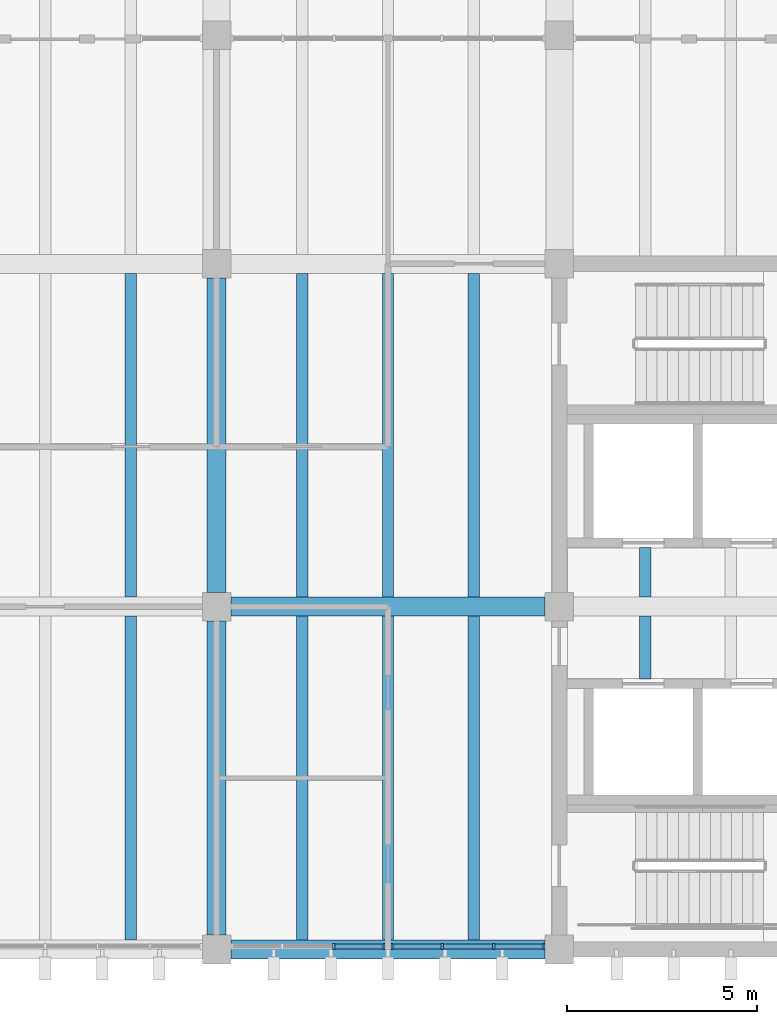
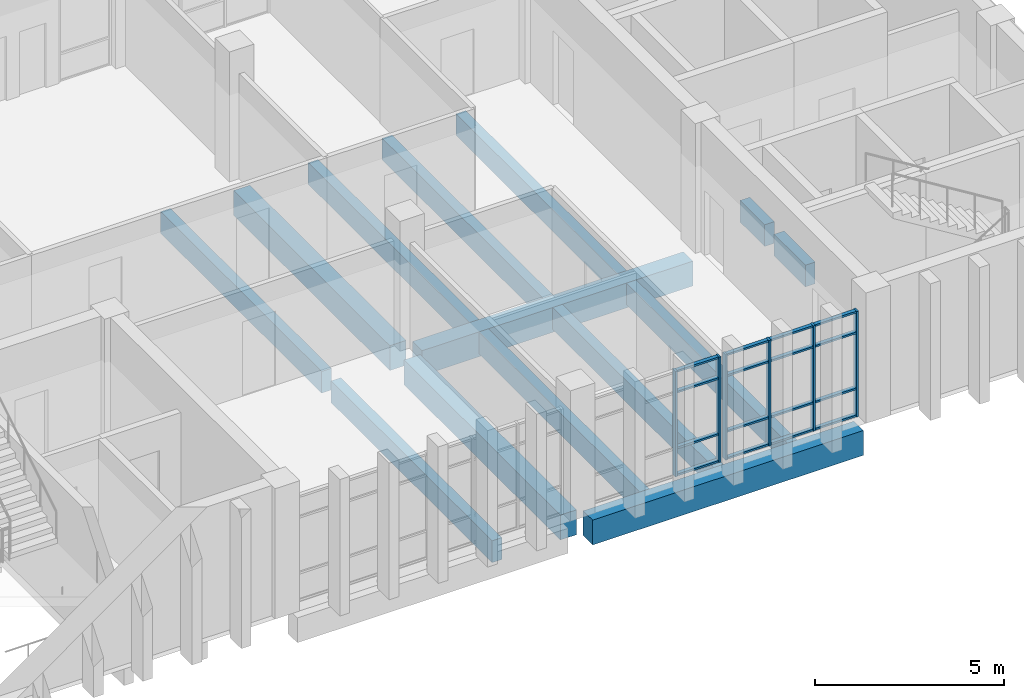
# One storey, part 3 of 15: 22 members, 14 beams, 2 elements without a shape of their own.
"""IFC4 building model written with IfcOpenShell, lengths in metres."""

from ifc_helpers import new_model, si_unit, direction, frame, origin, origin_2d, place, context, subcontext, project, spatial, rectangle, extrude, material, material_profile, profile_set, type_object, element, aggregate, save


model = new_model("IFC4")

# Units and contexts
model_context = context("Model", 3, precision=1e-05, world=origin(), true_north=direction((0.0, 1.0)))
body_context = subcontext(model_context, "Body", "Model", "MODEL_VIEW")
ifc_project = project(units=[si_unit("LENGTHUNIT", "METRE"), si_unit("AREAUNIT", "SQUARE_METRE"), si_unit("VOLUMEUNIT", "CUBIC_METRE"), si_unit("PLANEANGLEUNIT", "RADIAN"), si_unit("MASSUNIT", "GRAM", prefix="KILO")], contexts=[model_context])

# Site, building, storey
site_placement = place(None, origin())
site = spatial("IfcSite", under=ifc_project, at=site_placement, CompositionType="ELEMENT")
building_placement = place(site_placement, origin())
building = spatial("IfcBuilding", under=site, at=building_placement, Name="Merrow Basin Faculty of Sciences", CompositionType="ELEMENT")
storey_placement = place(building_placement, frame((0.0, 0.0, 31.5)))
storey = spatial("IfcBuildingStorey", under=building, at=storey_placement, Name="L07", CompositionType="ELEMENT", Elevation=31.5)

# Curtain wall, members
ifc_material_1 = material(Name="Aluminium alloy 6063", Category="aluminium")
curtain_wall_type = type_object("IfcCurtainWallType", Name="Unitised curtain wall 160", PredefinedType="NOTDEFINED", material=ifc_material_1)
curtain_wall_1_placement = place(storey_placement, origin())
curtain_wall_1 = element("IfcCurtainWall", 1, at=curtain_wall_1_placement, inside=storey, type_object=curtain_wall_type, Name="S curtain wall L07 2", PredefinedType="NOTDEFINED")
ifc_material_2 = material(Name="Aluminium alloy 6063", Category="aluminium")
ifc_material_profile_1 = material_profile(ifc_material_2, rectangle(XDim=0.159912109375, YDim=0.06005859375, at=origin_2d()))
ifc_profile_set_1 = profile_set([ifc_material_profile_1], Name="Aluminium alloy 6063")
member_type_1 = type_object("IfcMemberType", Name="Aluminium mullion 60x160", PredefinedType="MULLION", material=ifc_profile_set_1)
member_1_placement = place(storey_placement, frame((39.074951171875, 142.080078125, 0.0), z_axis=(0.0, 0.0, 1.0), x_axis=(0.0, 1.0, 0.0)))
member_1 = element("IfcMember", 2, at=member_1_placement, type_object=member_type_1, Name="CW3 mullion 3", PredefinedType="MULLION", context=body_context, shape_type="SweptSolid", body=[
    extrude(rectangle(XDim=0.159912109375, YDim=0.06005859375, at=origin_2d()), origin(), (0.0, 0.0, 1.0), 3.39990234375),
])
member_2_placement = place(storey_placement, frame((40.39501953125, 142.080078125, 0.0), z_axis=(0.0, 0.0, 1.0), x_axis=(0.0, 1.0, 0.0)))
member_2 = element("IfcMember", 3, at=member_2_placement, type_object=member_type_1, Name="CW3 mullion 4", PredefinedType="MULLION", context=body_context, shape_type="SweptSolid", body=[
    extrude(rectangle(XDim=0.159912109375, YDim=0.06005859375, at=origin_2d()), origin(), (0.0, 0.0, 1.0), 3.39990234375),
])

curtain_wall_2_placement = place(storey_placement, origin())
curtain_wall_2 = element("IfcCurtainWall", 4, at=curtain_wall_2_placement, inside=storey, type_object=curtain_wall_type, Name="S curtain wall L07 3", PredefinedType="NOTDEFINED")
member_3_placement = place(storey_placement, frame((40.60498046875, 142.080078125, 0.0), z_axis=(0.0, 0.0, 1.0), x_axis=(0.0, 1.0, 0.0)))
member_3 = element("IfcMember", 5, at=member_3_placement, type_object=member_type_1, Name="CW3 mullion 1", PredefinedType="MULLION", context=body_context, shape_type="SweptSolid", body=[
    extrude(rectangle(XDim=0.159912109375, YDim=0.06005859375, at=origin_2d()), origin(), (0.0, 0.0, 1.0), 3.39990234375),
])
member_4_placement = place(storey_placement, frame((41.925048828125, 142.080078125, 0.0), z_axis=(0.0, 0.0, 1.0), x_axis=(0.0, 1.0, 0.0)))
member_4 = element("IfcMember", 6, at=member_4_placement, type_object=member_type_1, Name="CW3 mullion 2", PredefinedType="MULLION", context=body_context, shape_type="SweptSolid", body=[
    extrude(rectangle(XDim=0.159912109375, YDim=0.06005859375, at=origin_2d()), origin(), (0.0, 0.0, 1.0), 3.39990234375),
])
member_5_placement = place(storey_placement, frame((43.27490234375, 142.080078125, 0.0), z_axis=(0.0, 0.0, 1.0), x_axis=(0.0, 1.0, 0.0)))
member_5 = element("IfcMember", 7, at=member_5_placement, type_object=member_type_1, Name="CW3 mullion 3", PredefinedType="MULLION", context=body_context, shape_type="SweptSolid", body=[
    extrude(rectangle(XDim=0.159912109375, YDim=0.06005859375, at=origin_2d()), origin(), (0.0, 0.0, 1.0), 3.39990234375),
])
member_6_placement = place(storey_placement, frame((44.594970703125, 142.080078125, 0.0), z_axis=(0.0, 0.0, 1.0), x_axis=(0.0, 1.0, 0.0)))
member_6 = element("IfcMember", 8, at=member_6_placement, type_object=member_type_1, Name="CW3 mullion 4", PredefinedType="MULLION", context=body_context, shape_type="SweptSolid", body=[
    extrude(rectangle(XDim=0.159912109375, YDim=0.06005859375, at=origin_2d()), origin(), (0.0, 0.0, 1.0), 3.39990234375),
])

# Member
ifc_material_3 = material(Name="Aluminium alloy 6063", Category="aluminium")
ifc_material_profile_2 = material_profile(ifc_material_3, rectangle(XDim=0.1201171875, YDim=0.06005859375, at=origin_2d()))
ifc_profile_set_2 = profile_set([ifc_material_profile_2], Name="Aluminium alloy 6063")
member_type_2 = type_object("IfcMemberType", Name="Aluminium transom 60x120", PredefinedType="USERDEFINED", material=ifc_profile_set_2)
member_7_placement = place(storey_placement, frame((39.10498046875, 142.080078125, 0.030029296875), z_axis=(1.0, 0.0, 0.0), x_axis=(0.0, 1.0, 0.0)))
member_7 = element("IfcMember", 9, at=member_7_placement, type_object=member_type_2, Name="CW3 transom 3.1", ObjectType="TRANSOM", PredefinedType="USERDEFINED", context=body_context, shape_type="SweptSolid", body=[
    extrude(rectangle(XDim=0.1201171875, YDim=0.06005859375, at=origin_2d()), origin(), (0.0, 0.0, 1.0), 1.260009765625),
])

member_8_placement = place(storey_placement, frame((39.10498046875, 142.080078125, 0.89990234375), z_axis=(1.0, 0.0, 0.0), x_axis=(0.0, 1.0, 0.0)))
member_8 = element("IfcMember", 10, at=member_8_placement, type_object=member_type_2, Name="CW3 transom 3.2", ObjectType="TRANSOM", PredefinedType="USERDEFINED", context=body_context, shape_type="SweptSolid", body=[
    extrude(rectangle(XDim=0.1201171875, YDim=0.06005859375, at=origin_2d()), origin(), (0.0, 0.0, 1.0), 1.260009765625),
])

member_9_placement = place(storey_placement, frame((39.10498046875, 142.080078125, 2.699951171875), z_axis=(1.0, 0.0, 0.0), x_axis=(0.0, 1.0, 0.0)))
member_9 = element("IfcMember", 11, at=member_9_placement, type_object=member_type_2, Name="CW3 transom 3.3", ObjectType="TRANSOM", PredefinedType="USERDEFINED", context=body_context, shape_type="SweptSolid", body=[
    extrude(rectangle(XDim=0.1201171875, YDim=0.06005859375, at=origin_2d()), origin(), (0.0, 0.0, 1.0), 1.260009765625),
])

member_10_placement = place(storey_placement, frame((39.10498046875, 142.080078125, 3.3701171875), z_axis=(1.0, 0.0, 0.0), x_axis=(0.0, 1.0, 0.0)))
member_10 = element("IfcMember", 12, at=member_10_placement, type_object=member_type_2, Name="CW3 transom 3.4", ObjectType="TRANSOM", PredefinedType="USERDEFINED", context=body_context, shape_type="SweptSolid", body=[
    extrude(rectangle(XDim=0.1201171875, YDim=0.06005859375, at=origin_2d()), origin(), (0.0, 0.0, 1.0), 1.260009765625),
])

aggregate(curtain_wall_1, [member_1, member_2, member_7, member_8, member_9, member_10])

member_11_placement = place(storey_placement, frame((40.635009765625, 142.080078125, 0.030029296875), z_axis=(1.0, 0.0, 0.0), x_axis=(0.0, 1.0, 0.0)))
member_11 = element("IfcMember", 13, at=member_11_placement, type_object=member_type_2, Name="CW3 transom 1.1", ObjectType="TRANSOM", PredefinedType="USERDEFINED", context=body_context, shape_type="SweptSolid", body=[
    extrude(rectangle(XDim=0.1201171875, YDim=0.06005859375, at=origin_2d()), origin(), (0.0, 0.0, 1.0), 1.260009765625),
])

member_12_placement = place(storey_placement, frame((40.635009765625, 142.080078125, 0.89990234375), z_axis=(1.0, 0.0, 0.0), x_axis=(0.0, 1.0, 0.0)))
member_12 = element("IfcMember", 14, at=member_12_placement, type_object=member_type_2, Name="CW3 transom 1.2", ObjectType="TRANSOM", PredefinedType="USERDEFINED", context=body_context, shape_type="SweptSolid", body=[
    extrude(rectangle(XDim=0.1201171875, YDim=0.06005859375, at=origin_2d()), origin(), (0.0, 0.0, 1.0), 1.260009765625),
])

member_13_placement = place(storey_placement, frame((40.635009765625, 142.080078125, 2.699951171875), z_axis=(1.0, 0.0, 0.0), x_axis=(0.0, 1.0, 0.0)))
member_13 = element("IfcMember", 15, at=member_13_placement, type_object=member_type_2, Name="CW3 transom 1.3", ObjectType="TRANSOM", PredefinedType="USERDEFINED", context=body_context, shape_type="SweptSolid", body=[
    extrude(rectangle(XDim=0.1201171875, YDim=0.06005859375, at=origin_2d()), origin(), (0.0, 0.0, 1.0), 1.260009765625),
])

member_14_placement = place(storey_placement, frame((40.635009765625, 142.080078125, 3.3701171875), z_axis=(1.0, 0.0, 0.0), x_axis=(0.0, 1.0, 0.0)))
member_14 = element("IfcMember", 16, at=member_14_placement, type_object=member_type_2, Name="CW3 transom 1.4", ObjectType="TRANSOM", PredefinedType="USERDEFINED", context=body_context, shape_type="SweptSolid", body=[
    extrude(rectangle(XDim=0.1201171875, YDim=0.06005859375, at=origin_2d()), origin(), (0.0, 0.0, 1.0), 1.260009765625),
])

member_15_placement = place(storey_placement, frame((41.955078125, 142.080078125, 0.030029296875), z_axis=(1.0, 0.0, 0.0), x_axis=(0.0, 1.0, 0.0)))
member_15 = element("IfcMember", 17, at=member_15_placement, type_object=member_type_2, Name="CW3 transom 2.1", ObjectType="TRANSOM", PredefinedType="USERDEFINED", context=body_context, shape_type="SweptSolid", body=[
    extrude(rectangle(XDim=0.1201171875, YDim=0.06005859375, at=origin_2d()), origin(), (0.0, 0.0, 1.0), 1.2900390625),
])

member_16_placement = place(storey_placement, frame((41.955078125, 142.080078125, 0.89990234375), z_axis=(1.0, 0.0, 0.0), x_axis=(0.0, 1.0, 0.0)))
member_16 = element("IfcMember", 18, at=member_16_placement, type_object=member_type_2, Name="CW3 transom 2.2", ObjectType="TRANSOM", PredefinedType="USERDEFINED", context=body_context, shape_type="SweptSolid", body=[
    extrude(rectangle(XDim=0.1201171875, YDim=0.06005859375, at=origin_2d()), origin(), (0.0, 0.0, 1.0), 1.2900390625),
])

member_17_placement = place(storey_placement, frame((41.955078125, 142.080078125, 2.699951171875), z_axis=(1.0, 0.0, 0.0), x_axis=(0.0, 1.0, 0.0)))
member_17 = element("IfcMember", 19, at=member_17_placement, type_object=member_type_2, Name="CW3 transom 2.3", ObjectType="TRANSOM", PredefinedType="USERDEFINED", context=body_context, shape_type="SweptSolid", body=[
    extrude(rectangle(XDim=0.1201171875, YDim=0.06005859375, at=origin_2d()), origin(), (0.0, 0.0, 1.0), 1.2900390625),
])

member_18_placement = place(storey_placement, frame((41.955078125, 142.080078125, 3.3701171875), z_axis=(1.0, 0.0, 0.0), x_axis=(0.0, 1.0, 0.0)))
member_18 = element("IfcMember", 20, at=member_18_placement, type_object=member_type_2, Name="CW3 transom 2.4", ObjectType="TRANSOM", PredefinedType="USERDEFINED", context=body_context, shape_type="SweptSolid", body=[
    extrude(rectangle(XDim=0.1201171875, YDim=0.06005859375, at=origin_2d()), origin(), (0.0, 0.0, 1.0), 1.2900390625),
])

member_19_placement = place(storey_placement, frame((43.304931640625, 142.080078125, 0.030029296875), z_axis=(1.0, 0.0, 0.0), x_axis=(0.0, 1.0, 0.0)))
member_19 = element("IfcMember", 21, at=member_19_placement, type_object=member_type_2, Name="CW3 transom 3.1", ObjectType="TRANSOM", PredefinedType="USERDEFINED", context=body_context, shape_type="SweptSolid", body=[
    extrude(rectangle(XDim=0.1201171875, YDim=0.06005859375, at=origin_2d()), origin(), (0.0, 0.0, 1.0), 1.260009765625),
])

member_20_placement = place(storey_placement, frame((43.304931640625, 142.080078125, 0.89990234375), z_axis=(1.0, 0.0, 0.0), x_axis=(0.0, 1.0, 0.0)))
member_20 = element("IfcMember", 22, at=member_20_placement, type_object=member_type_2, Name="CW3 transom 3.2", ObjectType="TRANSOM", PredefinedType="USERDEFINED", context=body_context, shape_type="SweptSolid", body=[
    extrude(rectangle(XDim=0.1201171875, YDim=0.06005859375, at=origin_2d()), origin(), (0.0, 0.0, 1.0), 1.260009765625),
])

member_21_placement = place(storey_placement, frame((43.304931640625, 142.080078125, 2.699951171875), z_axis=(1.0, 0.0, 0.0), x_axis=(0.0, 1.0, 0.0)))
member_21 = element("IfcMember", 23, at=member_21_placement, type_object=member_type_2, Name="CW3 transom 3.3", ObjectType="TRANSOM", PredefinedType="USERDEFINED", context=body_context, shape_type="SweptSolid", body=[
    extrude(rectangle(XDim=0.1201171875, YDim=0.06005859375, at=origin_2d()), origin(), (0.0, 0.0, 1.0), 1.260009765625),
])

member_22_placement = place(storey_placement, frame((43.304931640625, 142.080078125, 3.3701171875), z_axis=(1.0, 0.0, 0.0), x_axis=(0.0, 1.0, 0.0)))
member_22 = element("IfcMember", 24, at=member_22_placement, type_object=member_type_2, Name="CW3 transom 3.4", ObjectType="TRANSOM", PredefinedType="USERDEFINED", context=body_context, shape_type="SweptSolid", body=[
    extrude(rectangle(XDim=0.1201171875, YDim=0.06005859375, at=origin_2d()), origin(), (0.0, 0.0, 1.0), 1.260009765625),
])

aggregate(curtain_wall_2, [member_3, member_4, member_5, member_6, member_11, member_12, member_13, member_14, member_15, member_16, member_17, member_18, member_19, member_20, member_21, member_22])

# Beams
ifc_material_4 = material(Name="Concrete C40/50", Category="concrete")
ifc_material_profile_3 = material_profile(ifc_material_4, rectangle(XDim=0.5, YDim=0.800048828125, at=origin_2d()))
ifc_profile_set_3 = profile_set([ifc_material_profile_3], Name="Concrete C40/50")
beam_type_1 = type_object("IfcBeamType", Name="Beam RC500x800 C40/50", PredefinedType="BEAM", material=ifc_profile_set_3)
for number, where, z_axis, x_axis, name in (
    (25, (36.375, 142.0, -0.699951171875), (1.0, 0.0, 0.0), (0.0, 1.0, 0.0), "B4 L07 002"),
    (26, (36.375, 151.0, -0.699951171875), (1.0, 0.0, 0.0), (0.0, 1.0, 0.0), "B4 L07 004"),
    (27, (36.0, 142.375, -0.699951171875), (0.0, 1.0, 0.0), (-1.0, 0.0, 0.0), "B4 L07 017"),
    (28, (36.0, 151.375, -0.699951171875), (0.0, 1.0, 0.0), (-1.0, 0.0, 0.0), "B4 L07 018"),
):
    element("IfcBeam", number, at=place(storey_placement, frame(where, z_axis=z_axis, x_axis=x_axis)), inside=storey, type_object=beam_type_1, Name=name, PredefinedType="BEAM", context=body_context, shape_type="SweptSolid", body=[
        extrude(rectangle(XDim=0.5, YDim=0.800048828125, at=origin_2d()), origin(), (0.0, 0.0, 1.0), 8.25),
    ])
ifc_material_5 = material(Name="Concrete C40/50", Category="concrete")
ifc_material_profile_4 = material_profile(ifc_material_5, rectangle(XDim=0.300048828125, YDim=0.699951171875, at=origin_2d()))
ifc_profile_set_4 = profile_set([ifc_material_profile_4], Name="Concrete C40/50")
beam_type_2 = type_object("IfcBeamType", Name="Terrace joist RC300x700 C40/50", PredefinedType="BEAM", material=ifc_profile_set_4)
for number, where, z_axis, x_axis, name in (
    (29, (33.75, 142.25, -0.64990234375), (0.0, 1.0, 0.0), (-1.0, 0.0, 0.0), "JX1 L07 034"),
    (30, (33.75, 151.25, -0.64990234375), (0.0, 1.0, 0.0), (-1.0, 0.0, 0.0), "JX1 L07 037"),
    (31, (38.25, 142.25, -0.64990234375), (0.0, 1.0, 0.0), (-1.0, 0.0, 0.0), "JX1 L07 041"),
    (32, (40.5, 142.25, -0.64990234375), (0.0, 1.0, 0.0), (-1.0, 0.0, 0.0), "JX1 L07 042"),
    (33, (42.75, 142.25, -0.64990234375), (0.0, 1.0, 0.0), (-1.0, 0.0, 0.0), "JX1 L07 043"),
    (34, (38.25, 151.25, -0.64990234375), (0.0, 1.0, 0.0), (-1.0, 0.0, 0.0), "JX1 L07 044"),
    (35, (40.5, 151.25, -0.64990234375), (0.0, 1.0, 0.0), (-1.0, 0.0, 0.0), "JX1 L07 045"),
    (36, (42.75, 151.25, -0.64990234375), (0.0, 1.0, 0.0), (-1.0, 0.0, 0.0), "JX1 L07 046"),
):
    element("IfcBeam", number, at=place(storey_placement, frame(where, z_axis=z_axis, x_axis=x_axis)), inside=storey, type_object=beam_type_2, Name=name, PredefinedType="BEAM", context=body_context, shape_type="SweptSolid", body=[
        extrude(rectangle(XDim=0.300048828125, YDim=0.699951171875, at=origin_2d()), origin(), (0.0, 0.0, 1.0), 8.5),
    ])
beam_1_placement = place(storey_placement, frame((47.25, 149.10009765625, -0.64990234375), z_axis=(0.0, 1.0, 0.0), x_axis=(-1.0, 0.0, 0.0)))
element("IfcBeam", 37, at=beam_1_placement, inside=storey, type_object=beam_type_2, Name="JX1 L07 050", PredefinedType="BEAM", context=body_context, shape_type="SweptSolid", body=[
    extrude(rectangle(XDim=0.300048828125, YDim=0.699951171875, at=origin_2d()), origin(), (0.0, 0.0, 1.0), 1.64990234375),
])
beam_2_placement = place(storey_placement, frame((47.25, 151.25, -0.64990234375), z_axis=(0.0, 1.0, 0.0), x_axis=(-1.0, 0.0, 0.0)))
element("IfcBeam", 38, at=beam_2_placement, inside=storey, type_object=beam_type_2, Name="JX1 L07 053", PredefinedType="BEAM", context=body_context, shape_type="SweptSolid", body=[
    extrude(rectangle(XDim=0.300048828125, YDim=0.699951171875, at=origin_2d()), origin(), (0.0, 0.0, 1.0), 1.300048828125),
])

save(model, "model.ifc")
